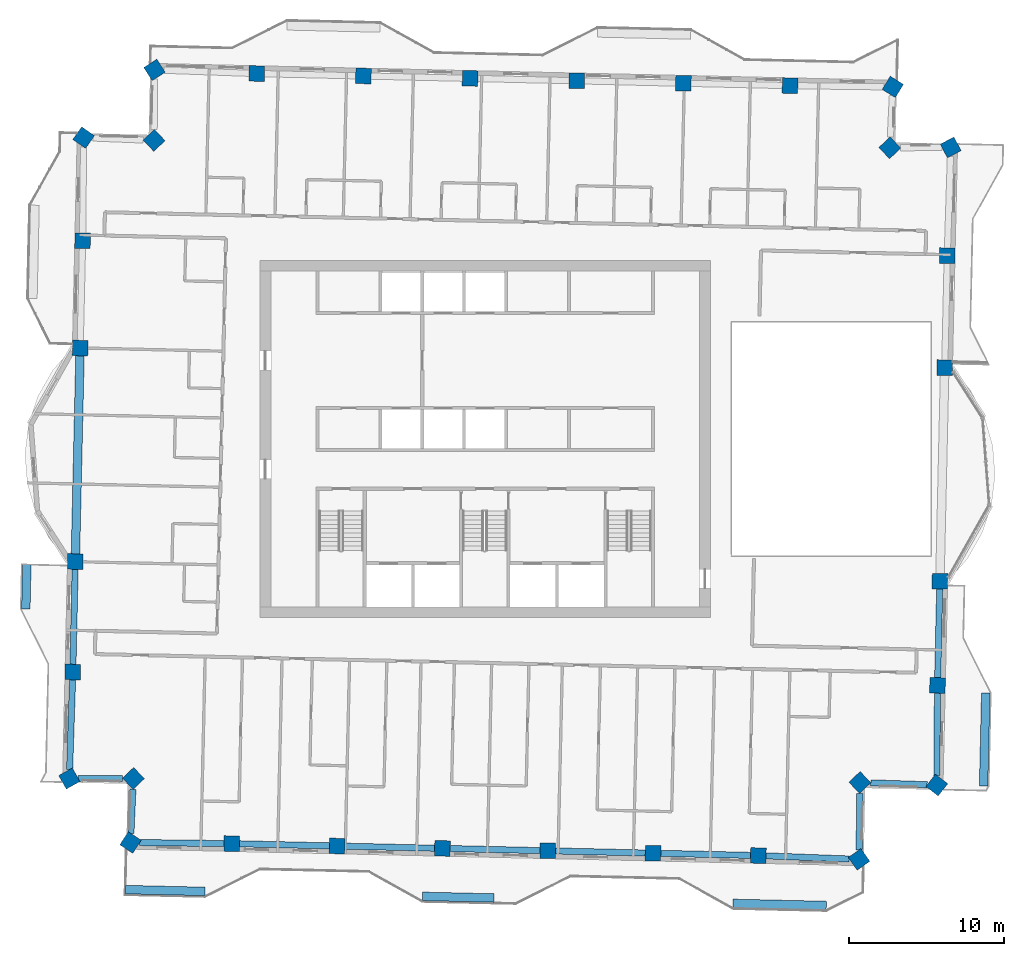
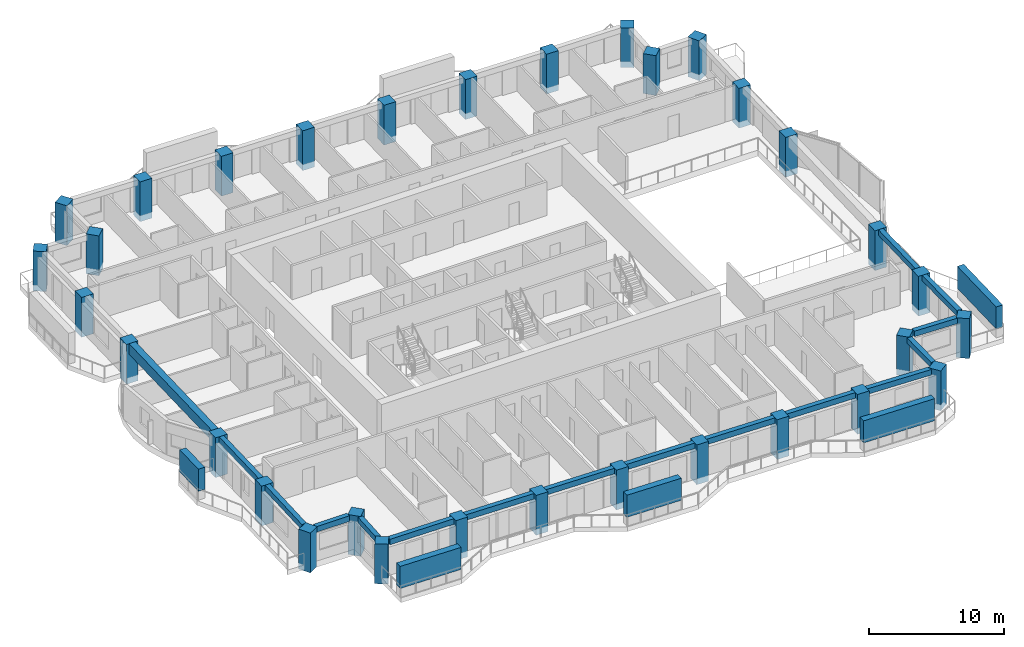
# One storey, part 1 of 17: 32 columns, 16 beams, 5 members.
"""IFC4 building model written with IfcOpenShell, lengths in metres."""

from ifc_helpers import new_model, si_unit, direction, frame, origin, origin_2d, place, context, subcontext, project, spatial, rectangle, extrude, material, material_profile, profile_set, type_object, element, save


model = new_model("IFC4")

# Units and contexts
model_context = context("Model", 3, precision=1e-05, world=origin(), true_north=direction((0.0, 1.0)))
body_context = subcontext(model_context, "Body", "Model", "MODEL_VIEW")
ifc_project = project(units=[si_unit("LENGTHUNIT", "METRE"), si_unit("AREAUNIT", "SQUARE_METRE"), si_unit("VOLUMEUNIT", "CUBIC_METRE"), si_unit("PLANEANGLEUNIT", "RADIAN"), si_unit("MASSUNIT", "GRAM", prefix="KILO")], contexts=[model_context])

# Site, building, storey
site_placement = place(None, origin())
site = spatial("IfcSite", under=ifc_project, at=site_placement, CompositionType="ELEMENT")
building_placement = place(site_placement, origin())
building = spatial("IfcBuilding", under=site, at=building_placement, Name="Mangrove Gate Tower", CompositionType="ELEMENT")
storey_placement = place(building_placement, frame((0.0, 0.0, 268.10009765625)))
storey = spatial("IfcBuildingStorey", under=building, at=storey_placement, Name="L68", CompositionType="ELEMENT", Elevation=268.10009765625)

# Columns
ifc_material_1 = material(Name="Concrete C50/60", Category="concrete")
ifc_material_profile_1 = material_profile(ifc_material_1, rectangle(XDim=1.0, YDim=1.0, at=origin_2d()))
ifc_profile_set_1 = profile_set([ifc_material_profile_1], Name="Concrete C50/60")
column_type = type_object("IfcColumnType", Name="Column RC 1000x1000 C50/60", PredefinedType="COLUMN", material=ifc_profile_set_1)
for number, where, z_axis, x_axis, name in (
    (1, (-26.385009765625, -7.892333984375, -0.550048828125), (0.0, 0.0, 1.0), (-0.022672414846, -0.999742947765, 0.0), "Column L68 W05"),
    (2, (-26.546142578125, -15.002197265625, -0.550048828125), (0.0, 0.0, 1.0), (-0.022636766921, -0.999743755561, 0.0), "Column L68 W06"),
    (3, (-26.770751953125, -21.857666015625, -0.550048828125), (0.0, 0.0, 1.0), (0.488846659431, -0.872369728706, 0.0), "Column L68 W07"),
    (4, (-22.646484375, -21.8515625, -0.550048828125), (0.0, 0.0, 1.0), (0.690844076144, -0.723003777622, 0.0), "Column L68 W08"),
    (5, (-22.8310546875, -25.97705078125, -0.550048828125), (0.0, 0.0, 1.0), (0.837962090781, -0.545728443838, 0.0), "Column L68 S01"),
    (6, (-16.312744140625, -26.050048828125, -0.550048828125), (0.0, 0.0, 1.0), (0.999742139886, -0.022708010396, 0.0), "Column L68 S02"),
    (7, (-9.53271484375, -26.2041015625, -0.550048828125), (0.0, 0.0, 1.0), (0.99974381087, -0.022634324086, 0.0), "Column L68 S03"),
    (8, (-2.752685546875, -26.357177734375, -0.550048828125), (0.0, 0.0, 1.0), (0.99974381087, -0.022634324086, 0.0), "Column L68 S04"),
    (9, (4.02734375, -26.51123046875, -0.550048828125), (0.0, 0.0, 1.0), (0.999742139886, -0.022708010396, 0.0), "Column L68 S05"),
    (10, (10.807373046875, -26.6650390625, -0.550048828125), (0.0, 0.0, 1.0), (0.999742139886, -0.022708010396, 0.0), "Column L68 S06"),
    (11, (17.58740234375, -26.819091796875, -0.550048828125), (0.0, 0.0, 1.0), (0.999742139886, -0.022708010396, 0.0), "Column L68 S07"),
    (12, (24.068359375, -27.06396484375, -0.550048828125), (0.0, 0.0, 1.0), (0.818120763293, 0.575046447402, 0.0), "Column L68 S08"),
    (13, (24.12353515625, -22.112548828125, -0.550048828125), (0.0, 0.0, 1.0), (0.722976563275, 0.690872556232, 0.0), "Column L68 E01"),
    (14, (29.073974609375, -22.2802734375, -0.550048828125), (0.0, 0.0, 1.0), (0.615428397343, 0.788192798586, 0.0), "Column L68 E02"),
    (15, (29.1201171875, -15.86572265625, -0.550048828125), (0.0, 0.0, 1.0), (0.022718026002, 0.999741912343, 0.0), "Column L68 E03"),
    (16, (29.273193359375, -9.154541015625, -0.550048828125), (0.0, 0.0, 1.0), (0.022723627062, 0.999741785049, 0.0), "Column L68 E04"),
    (17, (29.585205078125, 4.59228515625, -0.550048828125), (0.0, 0.0, 1.0), (0.022659642318, 0.999743237341, 0.0), "Column L68 E05"),
    (18, (29.748046875, 11.80224609375, -0.550048828125), (0.0, 0.0, 1.0), (0.0226694311, 0.999743015426, 0.0), "Column L68 E06"),
    (19, (29.96923828125, 18.76953125, -0.550048828125), (0.0, 0.0, 1.0), (-0.465021631321, 0.885299317973, 0.0), "Column L68 E07"),
    (20, (26.051513671875, 18.74658203125, -0.550048828125), (0.0, 0.0, 1.0), (-0.690925538708, 0.722925929788, 0.0), "Column L68 E08"),
    (21, (26.24267578125, 22.664794921875, -0.550048828125), (0.0, 0.0, 1.0), (-0.852456548942, 0.522798079727, 0.0), "Column L68 N01"),
    (22, (19.626708984375, 22.7470703125, -0.550048828125), (0.0, 0.0, 1.0), (-0.999741985691, 0.022714797976, 0.0), "Column L68 N02"),
    (23, (12.7607421875, 22.903076171875, -0.550048828125), (0.0, 0.0, 1.0), (-0.999741948423, 0.022716438162, 0.0), "Column L68 N03"),
    (24, (5.895751953125, 23.05908203125, -0.550048828125), (0.0, 0.0, 1.0), (-0.999741948423, 0.022716438162, 0.0), "Column L68 N04"),
    (25, (-0.97021484375, 23.215087890625, -0.550048828125), (0.0, 0.0, 1.0), (-0.999743636626, 0.022642019015, 0.0), "Column L68 N05"),
    (26, (-7.83642578125, 23.3701171875, -0.550048828125), (0.0, 0.0, 1.0), (-0.999743599083, 0.022643676653, 0.0), "Column L68 N06"),
    (27, (-14.701416015625, 23.526123046875, -0.550048828125), (0.0, 0.0, 1.0), (-0.999741948423, 0.022716438162, 0.0), "Column L68 N07"),
    (28, (-21.287353515625, 23.760498046875, -0.550048828125), (0.0, 0.0, 1.0), (-0.843247759492, -0.53752508417, 0.0), "Column L68 N08"),
    (29, (-21.314453125, 19.221435546875, -0.550048828125), (0.0, 0.0, 1.0), (-0.722988982899, -0.690859559249, 0.0), "Column L68 W01"),
    (30, (-25.84912109375, 19.401611328125, -0.550048828125), (0.0, 0.0, 1.0), (-0.572799342172, -0.819695622538, 0.0), "Column L68 W02"),
    (31, (-25.916015625, 12.765625, -0.550048828125), (0.0, 0.0, 1.0), (-0.022711552501, -0.999742059425, 0.0), "Column L68 W03"),
    (32, (-26.0732421875, 5.854736328125, -0.550048828125), (0.0, 0.0, 1.0), (-0.022697227041, -0.99974238476, 0.0), "Column L68 W04"),
):
    element("IfcColumn", number, at=place(storey_placement, frame(where, z_axis=z_axis, x_axis=x_axis)), inside=storey, type_object=column_type, Name=name, PredefinedType="COLUMN", context=body_context, shape_type="SweptSolid", body=[
        extrude(rectangle(XDim=1.0, YDim=1.0, at=origin_2d()), origin(), (0.0, 0.0, 1.0), 3.599853515625),
    ])

# Members
ifc_material_2 = material(Name="Planting on aluminium trellis", Category="aluminium")
ifc_material_profile_2 = material_profile(ifc_material_2, rectangle(XDim=0.550048828125, YDim=2.0, at=origin_2d()))
ifc_profile_set_2 = profile_set([ifc_material_profile_2], Name="Planting on aluminium trellis")
member_type = type_object("IfcMemberType", Name="Balcony greenery screen 550x2000", PredefinedType="USERDEFINED", material=ifc_profile_set_2)
member_1_placement = place(storey_placement, frame((32.089111328125, -22.346923828125, 1.7998046875), z_axis=(0.022666865795, 0.999743073592, 0.0), x_axis=(-0.999743073592, 0.022666865795, 0.0)))
element("IfcMember", 33, at=member_1_placement, inside=storey, type_object=member_type, Name="GREEN SCREEN L68 E0.1", ObjectType="PLANTING", PredefinedType="USERDEFINED", context=body_context, shape_type="SweptSolid", body=[
    extrude(rectangle(XDim=0.550048828125, YDim=2.0, at=origin_2d()), origin(), (0.0, 0.0, 1.0), 5.999267578125),
])
member_2_placement = place(storey_placement, frame((-29.570068359375, -10.945068359375, 1.7998046875), z_axis=(0.022675106248, 0.999742886725, 0.0), x_axis=(-0.999742886725, 0.022675106248, 0.0)))
element("IfcMember", 34, at=member_2_placement, inside=storey, type_object=member_type, Name="GREEN SCREEN L68 W1.1", ObjectType="PLANTING", PredefinedType="USERDEFINED", context=body_context, shape_type="SweptSolid", body=[
    extrude(rectangle(XDim=0.550048828125, YDim=2.0, at=origin_2d()), origin(), (0.0, 0.0, 1.0), 2.874755859375),
])
member_3_placement = place(storey_placement, frame((-23.1630859375, -29.010009765625, 1.7998046875), z_axis=(0.999740680705, -0.022772161589, 0.0), x_axis=(0.022772161589, 0.999740680705, 0.0)))
element("IfcMember", 35, at=member_3_placement, inside=storey, type_object=member_type, Name="GREEN SCREEN L68 S0.1", ObjectType="PLANTING", PredefinedType="USERDEFINED", context=body_context, shape_type="SweptSolid", body=[
    extrude(rectangle(XDim=0.550048828125, YDim=2.0, at=origin_2d()), origin(), (0.0, 0.0, 1.0), 5.13525390625),
])
member_4_placement = place(storey_placement, frame((-4.031982421875, -29.444091796875, 1.7998046875), z_axis=(0.999739556364, -0.022821468877, 0.0), x_axis=(0.022821468877, 0.999739556364, 0.0)))
element("IfcMember", 36, at=member_4_placement, inside=storey, type_object=member_type, Name="GREEN SCREEN L68 S0.2", ObjectType="PLANTING", PredefinedType="USERDEFINED", context=body_context, shape_type="SweptSolid", body=[
    extrude(rectangle(XDim=0.550048828125, YDim=2.0, at=origin_2d()), origin(), (0.0, 0.0, 1.0), 4.60009765625),
])
member_5_placement = place(storey_placement, frame((15.962890625, -29.89794921875, 1.7998046875), z_axis=(0.999743094499, -0.022665943652, 0.0), x_axis=(0.022665943652, 0.999743094499, 0.0)))
element("IfcMember", 37, at=member_5_placement, inside=storey, type_object=member_type, Name="GREEN SCREEN L68 S1.1", ObjectType="PLANTING", PredefinedType="USERDEFINED", context=body_context, shape_type="SweptSolid", body=[
    extrude(rectangle(XDim=0.550048828125, YDim=2.0, at=origin_2d()), origin(), (0.0, 0.0, 1.0), 5.99951171875),
])

# Beams
ifc_material_3 = material(Name="Concrete C50/60", Category="concrete")
ifc_material_profile_3 = material_profile(ifc_material_3, rectangle(XDim=0.39990234375, YDim=0.5, at=origin_2d()))
ifc_profile_set_3 = profile_set([ifc_material_profile_3], Name="Concrete C50/60")
beam_type_1 = type_object("IfcBeamType", Name="Edge beam RC 400x500 C50/60", PredefinedType="BEAM", material=ifc_profile_set_3)
beam_1_placement = place(storey_placement, frame((-26.5625, -15.502197265625, 2.7998046875), z_axis=(-0.032765815093, -0.999463056526, 0.0), x_axis=(0.999463056526, -0.032765815093, 0.0)))
element("IfcBeam", 38, at=beam_1_placement, inside=storey, type_object=beam_type_1, Name="Edge beam L68 01", PredefinedType="BEAM", context=body_context, shape_type="SweptSolid", body=[
    extrude(rectangle(XDim=0.39990234375, YDim=0.5, at=origin_2d()), origin(), (0.0, 0.0, 1.0), 5.774658203125),
])
beam_2_placement = place(storey_placement, frame((-26.1982421875, -21.856689453125, 2.7998046875), z_axis=(0.99999894783, 0.001450634193, 0.0), x_axis=(-0.001450634193, 0.99999894783, 0.0)))
element("IfcBeam", 39, at=beam_2_placement, inside=storey, type_object=beam_type_1, Name="Edge beam L68 02", PredefinedType="BEAM", context=body_context, shape_type="SweptSolid", body=[
    extrude(rectangle(XDim=0.39990234375, YDim=0.5, at=origin_2d()), origin(), (0.0, 0.0, 1.0), 2.861083984375),
])
beam_3_placement = place(storey_placement, frame((-22.677490234375, -22.54296875, 2.7998046875), z_axis=(-0.044690570426, -0.999000877334, 0.0), x_axis=(0.999000877334, -0.044690570426, 0.0)))
element("IfcBeam", 40, at=beam_3_placement, inside=storey, type_object=beam_type_1, Name="Edge beam L68 03", PredefinedType="BEAM", context=body_context, shape_type="SweptSolid", body=[
    extrude(rectangle(XDim=0.39990234375, YDim=0.5, at=origin_2d()), origin(), (0.0, 0.0, 1.0), 2.857177734375),
])
beam_4_placement = place(storey_placement, frame((-22.23876953125, -25.983642578125, 2.7998046875), z_axis=(0.999937245586, -0.011202896475, 0.0), x_axis=(0.011202896475, 0.999937245586, 0.0)))
element("IfcBeam", 41, at=beam_4_placement, inside=storey, type_object=beam_type_1, Name="Edge beam L68 04", PredefinedType="BEAM", context=body_context, shape_type="SweptSolid", body=[
    extrude(rectangle(XDim=0.39990234375, YDim=0.5, at=origin_2d()), origin(), (0.0, 0.0, 1.0), 5.42626953125),
])
for number, where, z_axis, x_axis, name in (
    (42, (-15.812744140625, -26.0615234375, 2.7998046875), (0.999741922736, -0.022717568611, 0.0), (0.022717568611, 0.999741922736, 0.0), "Edge beam L68 05"),
    (43, (-9.03271484375, -26.21533203125, 2.7998046875), (0.999744791798, -0.02259095555, 0.0), (0.02259095555, 0.999744791798, 0.0), "Edge beam L68 06"),
):
    element("IfcBeam", number, at=place(storey_placement, frame(where, z_axis=z_axis, x_axis=x_axis)), inside=storey, type_object=beam_type_1, Name=name, PredefinedType="BEAM", context=body_context, shape_type="SweptSolid", body=[
        extrude(rectangle(XDim=0.39990234375, YDim=0.5, at=origin_2d()), origin(), (0.0, 0.0, 1.0), 5.78173828125),
    ])
beam_5_placement = place(storey_placement, frame((-2.2529296875, -26.368408203125, 2.7998046875), z_axis=(0.999741944527, -0.022716609628, 0.0), x_axis=(0.022716609628, 0.999741944527, 0.0)))
element("IfcBeam", 44, at=beam_5_placement, inside=storey, type_object=beam_type_1, Name="Edge beam L68 07", PredefinedType="BEAM", context=body_context, shape_type="SweptSolid", body=[
    extrude(rectangle(XDim=0.39990234375, YDim=0.5, at=origin_2d()), origin(), (0.0, 0.0, 1.0), 5.781982421875),
])
beam_6_placement = place(storey_placement, frame((4.52734375, -26.5224609375, 2.7998046875), z_axis=(0.999741900943, -0.022718527675, 0.0), x_axis=(0.022718527675, 0.999741900943, 0.0)))
element("IfcBeam", 45, at=beam_6_placement, inside=storey, type_object=beam_type_1, Name="Edge beam L68 08", PredefinedType="BEAM", context=body_context, shape_type="SweptSolid", body=[
    extrude(rectangle(XDim=0.39990234375, YDim=0.5, at=origin_2d()), origin(), (0.0, 0.0, 1.0), 5.781494140625),
])
beam_7_placement = place(storey_placement, frame((11.30712890625, -26.676513671875, 2.7998046875), z_axis=(0.999741922736, -0.022717568611, 0.0), x_axis=(0.022717568611, 0.999741922736, 0.0)))
element("IfcBeam", 46, at=beam_7_placement, inside=storey, type_object=beam_type_1, Name="Edge beam L68 09", PredefinedType="BEAM", context=body_context, shape_type="SweptSolid", body=[
    extrude(rectangle(XDim=0.39990234375, YDim=0.5, at=origin_2d()), origin(), (0.0, 0.0, 1.0), 5.78173828125),
])
beam_8_placement = place(storey_placement, frame((18.087158203125, -26.837890625, 2.7998046875), z_axis=(0.9992861355, -0.037778557385, 0.0), x_axis=(0.037778557385, 0.9992861355, 0.0)))
element("IfcBeam", 47, at=beam_8_placement, inside=storey, type_object=beam_type_1, Name="Edge beam L68 10", PredefinedType="BEAM", context=body_context, shape_type="SweptSolid", body=[
    extrude(rectangle(XDim=0.39990234375, YDim=0.5, at=origin_2d()), origin(), (0.0, 0.0, 1.0), 5.357421875),
])
beam_9_placement = place(storey_placement, frame((24.075439453125, -26.447998046875, 2.7998046875), z_axis=(0.011076863189, 0.999938649669, 0.0), x_axis=(-0.999938649669, 0.011076863189, 0.0)))
element("IfcBeam", 48, at=beam_9_placement, inside=storey, type_object=beam_type_1, Name="Edge beam L68 11", PredefinedType="BEAM", context=body_context, shape_type="SweptSolid", body=[
    extrude(rectangle(XDim=0.39990234375, YDim=0.5, at=origin_2d()), origin(), (0.0, 0.0, 1.0), 3.63671875),
])
beam_10_placement = place(storey_placement, frame((24.822509765625, -22.13623046875, 2.7998046875), z_axis=(0.999427025766, -0.033847011221, 0.0), x_axis=(0.033847011221, 0.999427025766, 0.0)))
element("IfcBeam", 49, at=beam_10_placement, inside=storey, type_object=beam_type_1, Name="Edge beam L68 12", PredefinedType="BEAM", context=body_context, shape_type="SweptSolid", body=[
    extrude(rectangle(XDim=0.39990234375, YDim=0.5, at=origin_2d()), origin(), (0.0, 0.0, 1.0), 3.635498046875),
])
beam_11_placement = place(storey_placement, frame((29.078369140625, -21.6494140625, 2.7998046875), z_axis=(0.00720801901, 0.999974021894, 0.0), x_axis=(-0.999974021894, 0.00720801901, 0.0)))
element("IfcBeam", 50, at=beam_11_placement, inside=storey, type_object=beam_type_1, Name="Edge beam L68 13", PredefinedType="BEAM", context=body_context, shape_type="SweptSolid", body=[
    extrude(rectangle(XDim=0.39990234375, YDim=0.5, at=origin_2d()), origin(), (0.0, 0.0, 1.0), 5.283935546875),
])
beam_12_placement = place(storey_placement, frame((29.131591796875, -15.36572265625, 2.7998046875), z_axis=(0.022778681813, 0.999740532166, 0.0), x_axis=(-0.999740532166, 0.022778681813, 0.0)))
element("IfcBeam", 51, at=beam_12_placement, inside=storey, type_object=beam_type_1, Name="Edge beam L68 14", PredefinedType="BEAM", context=body_context, shape_type="SweptSolid", body=[
    extrude(rectangle(XDim=0.39990234375, YDim=0.5, at=origin_2d()), origin(), (0.0, 0.0, 1.0), 5.712646484375),
])
ifc_material_4 = material(Name="Concrete C50/60", Category="concrete")
ifc_material_profile_4 = material_profile(ifc_material_4, rectangle(XDim=0.39990234375, YDim=0.550048828125, at=origin_2d()))
ifc_profile_set_4 = profile_set([ifc_material_profile_4], Name="Concrete C50/60")
beam_type_2 = type_object("IfcBeamType", Name="Edge beam RC 400x550 C50/60", PredefinedType="BEAM", material=ifc_profile_set_4)
beam_13_placement = place(storey_placement, frame((-26.396484375, -8.39208984375, 2.77490234375), z_axis=(-0.022648815514, -0.999743482677, 0.0), x_axis=(0.999743482677, -0.022648815514, 0.0)))
element("IfcBeam", 52, at=beam_13_placement, inside=storey, type_object=beam_type_2, Name="Edge beam L68 00", PredefinedType="BEAM", context=body_context, shape_type="SweptSolid", body=[
    extrude(rectangle(XDim=0.39990234375, YDim=0.550048828125, at=origin_2d()), origin(), (0.0, 0.0, 1.0), 6.11181640625),
])
ifc_material_5 = material(Name="Concrete C50/60", Category="concrete")
ifc_material_profile_5 = material_profile(ifc_material_5, rectangle(XDim=0.550048828125, YDim=0.949951171875, at=origin_2d()))
ifc_profile_set_5 = profile_set([ifc_material_profile_5], Name="Concrete C50/60")
beam_type_3 = type_object("IfcBeamType", Name="Edge beam RC 550x950 C50/60", PredefinedType="BEAM", material=ifc_profile_set_5)
beam_14_placement = place(storey_placement, frame((-26.08447265625, 5.354736328125, 2.574951171875), z_axis=(-0.022689654485, -0.999742556651, 0.0), x_axis=(0.999742556651, -0.022689654485, 0.0)))
element("IfcBeam", 53, at=beam_14_placement, inside=storey, type_object=beam_type_3, Name="Edge beam L68 31", PredefinedType="BEAM", context=body_context, shape_type="SweptSolid", body=[
    extrude(rectangle(XDim=0.550048828125, YDim=0.949951171875, at=origin_2d()), origin(), (0.0, 0.0, 1.0), 12.75048828125),
])

save(model, "model.ifc")
